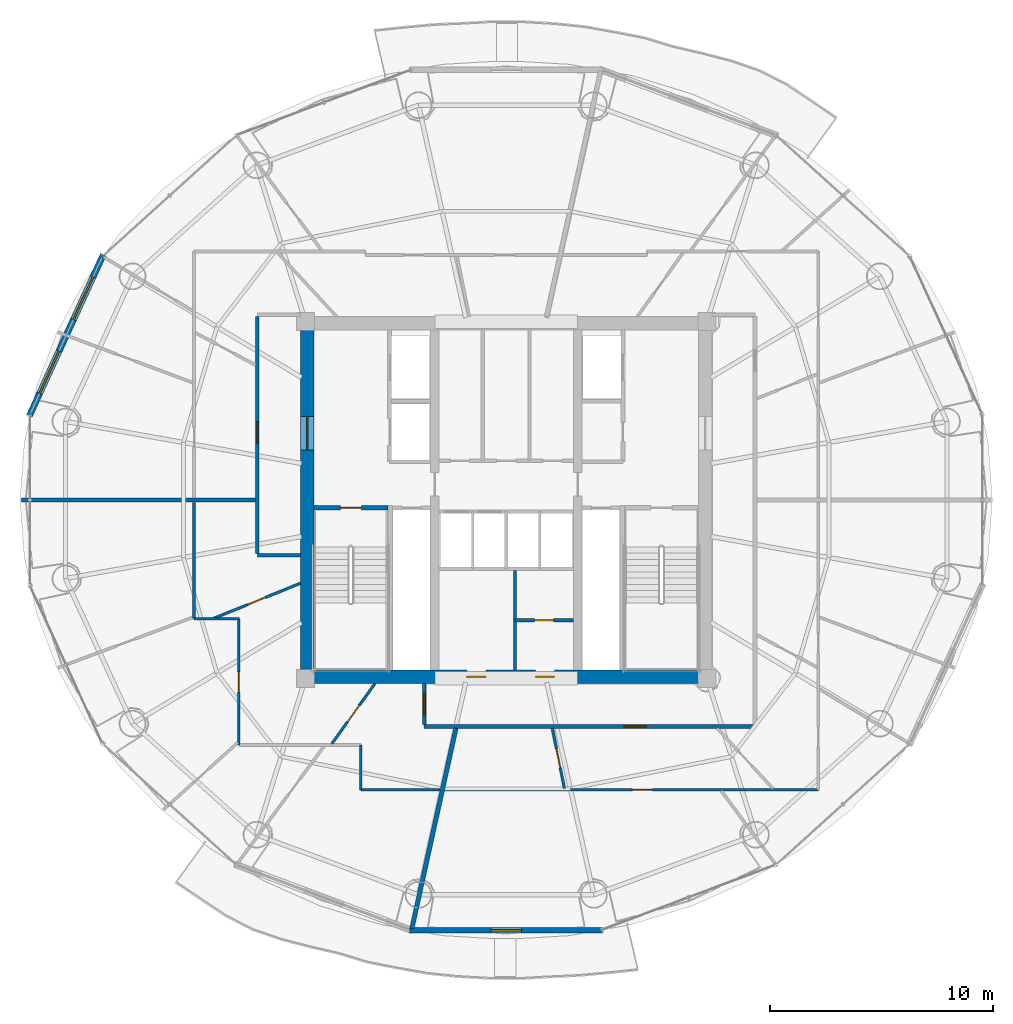
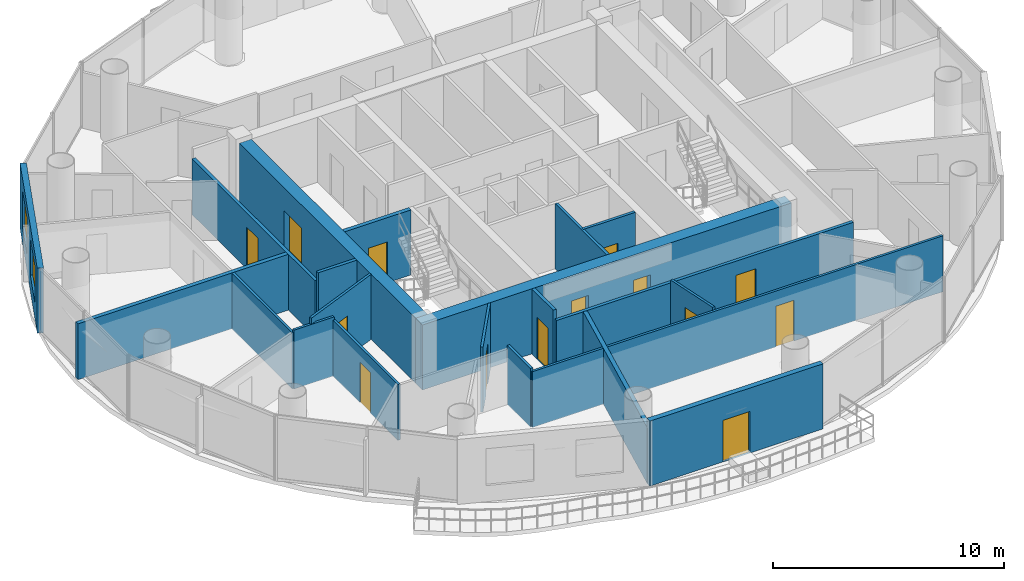
# One storey, part 20 of 26: 22 walls, 14 doors, 2 windows, 16 openings.
"""IFC4 building model written with IfcOpenShell, lengths in metres."""

from ifc_helpers import new_model, si_unit, direction, frame, frame_2d, origin, place, context, subcontext, project, spatial, rectangle, extrude, source, transform, mapped, material, layer, layer_set, type_object, element, fill, save


model = new_model("IFC4")

# Units and contexts
model_context = context("Model", 3, precision=1e-05, world=origin(), true_north=direction((-0.2419218956, 0.970295726276)))
body_context = subcontext(model_context, "Body", "Model", "MODEL_VIEW")
ifc_project = project(units=[si_unit("LENGTHUNIT", "METRE"), si_unit("AREAUNIT", "SQUARE_METRE"), si_unit("VOLUMEUNIT", "CUBIC_METRE"), si_unit("PLANEANGLEUNIT", "RADIAN"), si_unit("MASSUNIT", "GRAM", prefix="KILO")], contexts=[model_context])

# Site, building, storey
site_placement = place(None, origin())
site = spatial("IfcSite", under=ifc_project, at=site_placement, CompositionType="ELEMENT")
building_placement = place(site_placement, origin())
building = spatial("IfcBuilding", under=site, at=building_placement, Name="Cobrevalo Terracotta Tower", CompositionType="ELEMENT")
storey_placement = place(building_placement, frame((0.0, 0.0, 213.39990234375)))
storey = spatial("IfcBuildingStorey", under=building, at=storey_placement, Name="L56", CompositionType="ELEMENT", Elevation=213.39990234375)

# Wall, openings, doors
ifc_material_1 = material(Name="Concrete C55", Category="concrete")
ifc_layer_1 = layer(ifc_material_1, 0.60009765625)
ifc_layer_set_1 = layer_set([ifc_layer_1], Name="Concrete C55")
wall_type_1 = type_object("IfcWallType", Name="Core shear wall 600 mm Concrete C55", PredefinedType="SHEAR", material=ifc_layer_set_1)
wall_1_placement = place(storey_placement, frame((28.77490234375, 18.875, 0.0), z_axis=(0.0, 0.0, 1.0), x_axis=(1.0, 0.0, 0.0)))
wall_1 = element("IfcWall", 1, at=wall_1_placement, inside=storey, type_object=wall_type_1, Name="L56 south core shear wall", PredefinedType="SHEAR", context=body_context, shape_type="SweptSolid", body=[
    extrude(rectangle(XDim=18.4501953125, YDim=0.60009765625, at=frame_2d((9.22509765625, 0.0))), origin(), (0.0, 0.0, 1.0), 3.43505859375),
])
opening_1_placement = place(wall_1_placement, frame((7.4599609375, 0.0, 0.0)))
opening_1 = element("IfcOpeningElement", 2, at=opening_1_placement, cuts=wall_1, Name="Opening ID-22", PredefinedType="OPENING", context=body_context, shape_type="SweptSolid", body=[
    extrude(rectangle(XDim=0.85009765625, YDim=2.10009765625, at=frame_2d((0.425048828125, 1.050048828125))), frame((0.0, 0.31005859375, 0.0), z_axis=(0.0, -1.0, 0.0), x_axis=(1.0, 0.0, 0.0)), (0.0, 0.0, 1.0), 0.6201171875),
])
opening_2_placement = place(wall_1_placement, frame((10.5400390625, 0.0, 0.0)))
opening_2 = element("IfcOpeningElement", 3, at=opening_2_placement, cuts=wall_1, Name="Opening ID-22", PredefinedType="OPENING", context=body_context, shape_type="SweptSolid", body=[
    extrude(rectangle(XDim=0.85009765625, YDim=2.10009765625, at=frame_2d((0.425048828125, 1.050048828125))), frame((0.0, 0.31005859375, 0.0), z_axis=(0.0, -1.0, 0.0), x_axis=(1.0, 0.0, 0.0)), (0.0, 0.0, 1.0), 0.6201171875),
])
ifc_material_2 = material(Name="Powder-coated steel", Category="steel")
door_type_1 = type_object("IfcDoorType", Name="Riser shaft & meter closet fire access door 850x2100 EI 60", OperationType="NOTDEFINED", PredefinedType="DOOR", material=ifc_material_2)
shared_shape_1 = source(origin(), body_context, "Body", "SweptSolid", [
    extrude(rectangle(XDim=0.85009765625, YDim=2.10009765625, at=frame_2d((0.425048828125, 1.050048828125))), frame((0.0, 0.02490234375, 0.0), z_axis=(0.0, -1.0, 0.0), x_axis=(1.0, 0.0, 0.0)), (0.0, 0.0, 1.0), 0.050048828125),
])
door_1_placement = place(opening_1_placement, origin())
door_1 = element("IfcDoor", 4, at=door_1_placement, inside=storey, type_object=door_type_1, Name="L56 core south plant door Floor AHU Mechanical Plant", OperationType="SINGLE_SWING_RIGHT", OverallHeight=2.10009765625, OverallWidth=0.85009765625, PredefinedType="DOOR", context=body_context, shape_type="MappedRepresentation", body=[
    mapped(shared_shape_1, transform((0.0, 0.0, 0.0), scale=1.0)),
])
fill(opening_1, door_1)
door_2_placement = place(opening_2_placement, origin())
door_2 = element("IfcDoor", 5, at=door_2_placement, inside=storey, type_object=door_type_1, Name="L56 core south plant door Sprinkler Valve Plant", OperationType="SINGLE_SWING_RIGHT", OverallHeight=2.10009765625, OverallWidth=0.85009765625, PredefinedType="DOOR", context=body_context, shape_type="MappedRepresentation", body=[
    mapped(shared_shape_1, transform((0.0, 0.0, 0.0), scale=1.0)),
])
fill(opening_2, door_2)

# Wall, opening, door
wall_2_placement = place(storey_placement, frame((29.074951171875, 19.175048828125, 0.0), z_axis=(0.0, 0.0, 1.0), x_axis=(0.0, 1.0, 0.0)))
wall_2 = element("IfcWall", 6, at=wall_2_placement, inside=storey, type_object=wall_type_1, Name="L56 west core shear wall", PredefinedType="SHEAR", context=body_context, shape_type="SweptSolid", body=[
    extrude(rectangle(XDim=15.25, YDim=0.60009765625, at=frame_2d((7.625, 0.0))), origin(), (0.0, 0.0, 1.0), 3.43505859375),
])
opening_3_placement = place(wall_2_placement, frame((9.875, 0.0, 0.0)))
opening_3 = element("IfcOpeningElement", 7, at=opening_3_placement, cuts=wall_2, Name="Opening ID-14", PredefinedType="OPENING", context=body_context, shape_type="SweptSolid", body=[
    extrude(rectangle(XDim=1.5, YDim=2.199951171875, at=frame_2d((0.75, 1.10009765625))), frame((0.0, 0.31005859375, 0.0), z_axis=(0.0, -1.0, 0.0), x_axis=(1.0, 0.0, 0.0)), (0.0, 0.0, 1.0), 0.6201171875),
])
ifc_material_3 = material(Name="Galvanized fire-rated steel", Category="steel")
door_type_2 = type_object("IfcDoorType", Name="Core cross-lobby double fire door 1500x2200 EI 90", OperationType="NOTDEFINED", PredefinedType="DOOR", material=ifc_material_3)
shared_shape_2 = source(origin(), body_context, "Body", "SweptSolid", [
    extrude(rectangle(XDim=1.5, YDim=2.199951171875, at=frame_2d((0.75, 1.10009765625))), frame((0.0, 0.02490234375, 0.0), z_axis=(0.0, -1.0, 0.0), x_axis=(1.0, 0.0, 0.0)), (0.0, 0.0, 1.0), 0.050048828125),
])
door_3_placement = place(opening_3_placement, origin())
door_3 = element("IfcDoor", 8, at=door_3_placement, inside=storey, type_object=door_type_2, Name="L56 west firefighting lobby entrance door", OperationType="DOUBLE_DOOR_SINGLE_SWING", OverallHeight=2.199951171875, OverallWidth=1.5, PredefinedType="DOOR", context=body_context, shape_type="MappedRepresentation", body=[
    mapped(shared_shape_2, transform((0.0, 0.0, 0.0), scale=1.0)),
])
fill(opening_3, door_3)

ifc_material_4 = material(Name="Gypsum board on steel stud", Category="steel")
ifc_layer_2 = layer(ifc_material_4, 0.159912109375)
ifc_layer_set_2 = layer_set([ifc_layer_2], Name="Gypsum board on steel stud")
wall_type_2 = type_object("IfcWallType", Name="Fire-rated corridor acoustic partition wall 160 mm", PredefinedType="PARTITIONING", material=ifc_layer_set_2)
wall_3_placement = place(storey_placement, frame((26.844970703125, 24.39990234375, 0.0), z_axis=(0.0, 0.0, 1.0), x_axis=(0.0, 1.0, 0.0)))
wall_3 = element("IfcWall", 9, at=wall_3_placement, inside=storey, type_object=wall_type_2, Name="L56 interior partition IW-L56-COR-W", PredefinedType="PARTITIONING", context=body_context, shape_type="SweptSolid", body=[
    extrude(rectangle(XDim=10.625, YDim=0.159912109375, at=frame_2d((5.3125, 0.0))), origin(), (0.0, 0.0, 1.0), 2.951171875),
])
opening_4_placement = place(wall_3_placement, frame((4.93603515625, 0.0, 0.0)))
opening_4 = element("IfcOpeningElement", 10, at=opening_4_placement, cuts=wall_3, Name="Opening ID-05", PredefinedType="OPENING", context=body_context, shape_type="SweptSolid", body=[
    extrude(rectangle(XDim=0.97998046875, YDim=2.199951171875, at=frame_2d((0.489990234375, 1.10009765625))), frame((0.0, 0.08984375, 0.0), z_axis=(0.0, -1.0, 0.0), x_axis=(1.0, 0.0, 0.0)), (0.0, 0.0, 1.0), 0.179931640625),
])
ifc_material_5 = material(Name="Solid hardwood timber", Category="wood")
door_type_3 = type_object("IfcDoorType", Name="Residence entrance fire-rated acoustic timber door 980x2200 EI 60", OperationType="NOTDEFINED", PredefinedType="DOOR", material=ifc_material_5)
shared_shape_3 = source(origin(), body_context, "Body", "SweptSolid", [
    extrude(rectangle(XDim=0.97998046875, YDim=2.199951171875, at=frame_2d((0.489990234375, 1.10009765625))), frame((0.0, 0.02490234375, 0.0), z_axis=(0.0, -1.0, 0.0), x_axis=(1.0, 0.0, 0.0)), (0.0, 0.0, 1.0), 0.050048828125),
])
door_4_placement = place(opening_4_placement, origin())
door_4 = element("IfcDoor", 11, at=door_4_placement, inside=storey, type_object=door_type_3, Name="Flat L56B fire-rated apartment entrance door", OperationType="SINGLE_SWING_LEFT", OverallHeight=2.199951171875, OverallWidth=0.97998046875, PredefinedType="DOOR", context=body_context, shape_type="MappedRepresentation", body=[
    mapped(shared_shape_3, transform((0.0, 0.0, 0.0), scale=1.0)),
])
fill(opening_4, door_4)

# Wall
wall_4_placement = place(storey_placement, frame((26.844970703125, 24.320068359375, 0.0), z_axis=(0.0, 0.0, 1.0), x_axis=(1.0, 0.0, 0.0)))
element("IfcWall", 12, at=wall_4_placement, inside=storey, type_object=wall_type_2, Name="L56 interior partition IW-L56-COR-WS-CAP", PredefinedType="PARTITIONING", context=body_context, shape_type="SweptSolid", body=[
    extrude(rectangle(XDim=1.929931640625, YDim=0.159912109375, at=frame_2d((0.96484375, 0.0))), origin(), (0.0, 0.0, 1.0), 3.43505859375),
])

# Wall, opening, door
wall_5_placement = place(storey_placement, frame((34.320068359375, 16.64501953125, 0.0), z_axis=(0.0, 0.0, 1.0), x_axis=(1.0, 0.0, 0.0)))
wall_5 = element("IfcWall", 13, at=wall_5_placement, inside=storey, type_object=wall_type_2, Name="L56 interior partition IW-L56-COR-S", PredefinedType="PARTITIONING", context=body_context, shape_type="SweptSolid", body=[
    extrude(rectangle(XDim=14.8349609375, YDim=0.159912109375, at=frame_2d((7.41748046875, 0.0))), origin(), (0.0, 0.0, 1.0), 2.951171875),
])
opening_5_placement = place(wall_5_placement, frame((8.972900390625, 0.0, 0.0)))
opening_5 = element("IfcOpeningElement", 14, at=opening_5_placement, cuts=wall_5, Name="Opening ID-05", PredefinedType="OPENING", context=body_context, shape_type="SweptSolid", body=[
    extrude(rectangle(XDim=0.97998046875, YDim=2.199951171875, at=frame_2d((0.489990234375, 1.10009765625))), frame((0.0, 0.08984375, 0.0), z_axis=(0.0, -1.0, 0.0), x_axis=(1.0, 0.0, 0.0)), (0.0, 0.0, 1.0), 0.179931640625),
])
door_5_placement = place(opening_5_placement, frame((0.97998046875, 0.0, 0.0), z_axis=(0.0, 0.0, 1.0), x_axis=(-1.0, 0.0, 0.0)))
door_5 = element("IfcDoor", 15, at=door_5_placement, inside=storey, type_object=door_type_3, Name="Flat L56D fire-rated apartment entrance door", OperationType="SINGLE_SWING_RIGHT", OverallHeight=2.199951171875, OverallWidth=0.97998046875, PredefinedType="DOOR", context=body_context, shape_type="MappedRepresentation", body=[
    mapped(shared_shape_3, transform((0.0, 0.0, 0.0), scale=1.0)),
])
fill(opening_5, door_5)

wall_6_placement = place(storey_placement, frame((34.320068359375, 16.72509765625, 0.0), z_axis=(0.0, 0.0, 1.0), x_axis=(0.0, 1.0, 0.0)))
wall_6 = element("IfcWall", 16, at=wall_6_placement, inside=storey, type_object=wall_type_2, Name="L56 interior partition IW-L56-COR-SW-CAP", PredefinedType="PARTITIONING", context=body_context, shape_type="SweptSolid", body=[
    extrude(rectangle(XDim=1.849853515625, YDim=0.159912109375, at=frame_2d((0.9248046875, 0.0))), origin(), (0.0, 0.0, 1.0), 3.43505859375),
])
opening_6_placement = place(wall_6_placement, frame((0.43505859375, 0.0, 0.0)))
opening_6 = element("IfcOpeningElement", 17, at=opening_6_placement, cuts=wall_6, Name="Opening ID-05", PredefinedType="OPENING", context=body_context, shape_type="SweptSolid", body=[
    extrude(rectangle(XDim=0.97998046875, YDim=2.199951171875, at=frame_2d((0.489990234375, 1.10009765625))), frame((0.0, 0.08984375, 0.0), z_axis=(0.0, -1.0, 0.0), x_axis=(1.0, 0.0, 0.0)), (0.0, 0.0, 1.0), 0.179931640625),
])
door_6_placement = place(opening_6_placement, origin())
door_6 = element("IfcDoor", 18, at=door_6_placement, inside=storey, type_object=door_type_3, Name="Flat L56C fire-rated apartment entrance door", OperationType="SINGLE_SWING_LEFT", OverallHeight=2.199951171875, OverallWidth=0.97998046875, PredefinedType="DOOR", context=body_context, shape_type="MappedRepresentation", body=[
    mapped(shared_shape_3, transform((0.0, 0.0, 0.0), scale=1.0)),
])
fill(opening_6, door_6)

# Walls
ifc_material_6 = material(Name="Autoclaved aerated concrete block", Category="concrete")
ifc_layer_3 = layer(ifc_material_6, 0.199951171875)
ifc_layer_set_3 = layer_set([ifc_layer_3], Name="Autoclaved aerated concrete block")
wall_type_3 = type_object("IfcWallType", Name="Fire-rated stair, shaft & demising masonry wall 200 mm", PredefinedType="PARTITIONING", material=ifc_layer_set_3)
wall_7_placement = place(storey_placement, frame((26.764892578125, 26.800048828125, 0.0), z_axis=(0.0, 0.0, 1.0), x_axis=(-1.0, 0.0, 0.0)))
element("IfcWall", 19, at=wall_7_placement, inside=storey, type_object=wall_type_3, Name="L56 interior partition IW-L56-DEM-3", PredefinedType="PARTITIONING", context=body_context, shape_type="SweptSolid", body=[
    extrude(rectangle(XDim=10.5048828125, YDim=0.199951171875, at=frame_2d((5.25244140625, 0.0))), origin(), (0.0, 0.0, 1.0), 2.951171875),
])
wall_8_placement = place(storey_placement, frame((35.7470703125, 16.56494140625, 0.0), z_axis=(0.0, 0.0, 1.0), x_axis=(-0.214957946814, -0.976623305631, 0.0)))
element("IfcWall", 20, at=wall_8_placement, inside=storey, type_object=wall_type_3, Name="L56 interior partition IW-L56-DEM-4", PredefinedType="PARTITIONING", context=body_context, shape_type="SweptSolid", body=[
    extrude(rectangle(XDim=9.201904296875, YDim=0.199951171875, at=frame_2d((4.60107421875, 0.0))), origin(), (0.0, 0.0, 1.0), 2.951171875),
])

# Wall, openings, windows
ifc_layer_4 = layer(ifc_material_6, 0.280029296875)
ifc_layer_set_4 = layer_set([ifc_layer_4], Name="Autoclaved aerated concrete block")
wall_type_4 = type_object("IfcWallType", Name="Insulated tower spandrel & pier wall 280 mm with terracotta rainscreen", PredefinedType="SOLIDWALL", material=ifc_layer_set_4)
wall_9_placement = place(storey_placement, frame((19.93212890625, 37.80078125, 0.0), z_axis=(0.0, 0.0, 1.0), x_axis=(-0.416717018135, -0.909036262641, 0.0)))
wall_9 = element("IfcWall", 21, at=wall_9_placement, inside=storey, type_object=wall_type_4, Name="L56 terracotta rainscreen pier wall S07", PredefinedType="SOLIDWALL", context=body_context, shape_type="SweptSolid", body=[
    extrude(rectangle(XDim=7.960205078125, YDim=0.280029296875, at=frame_2d((3.97998046875, 0.0))), origin(), (0.0, 0.0, 1.0), 3.43505859375),
])
opening_7_placement = place(wall_9_placement, frame((1.099365234375, 0.0, 0.85009765625)))
opening_7 = element("IfcOpeningElement", 22, at=opening_7_placement, cuts=wall_9, Name="Opening WN-10", PredefinedType="OPENING", context=body_context, shape_type="SweptSolid", body=[
    extrude(rectangle(XDim=2.10009765625, YDim=1.949951171875, at=frame_2d((1.050048828125, 0.97509765625))), frame((0.0, 0.14990234375, 0.0), z_axis=(0.0, -1.0, 0.0), x_axis=(1.0, 0.0, 0.0)), (0.0, 0.0, 1.0), 0.300048828125),
])
opening_8_placement = place(wall_9_placement, frame((4.760986328125, 0.0, 0.85009765625)))
opening_8 = element("IfcOpeningElement", 23, at=opening_8_placement, cuts=wall_9, Name="Opening WN-10", PredefinedType="OPENING", context=body_context, shape_type="SweptSolid", body=[
    extrude(rectangle(XDim=2.10009765625, YDim=1.949951171875, at=frame_2d((1.050048828125, 0.97509765625))), frame((0.0, 0.14990234375, 0.0), z_axis=(0.0, -1.0, 0.0), x_axis=(1.0, 0.0, 0.0)), (0.0, 0.0, 1.0), 0.300048828125),
])
ifc_material_7 = material(Name="Solar-control low-E double glazing", Category="glass")
window_type = type_object("IfcWindowType", Name="Wide panoramic low-E aluminium window 2100x1950", PartitioningType="SINGLE_PANEL", PredefinedType="WINDOW", material=ifc_material_7)
shared_shape_4 = source(origin(), body_context, "Body", "SweptSolid", [
    extrude(rectangle(XDim=2.10009765625, YDim=1.949951171875, at=frame_2d((1.050048828125, 0.97509765625))), frame((0.0, 0.030029296875, 0.0), z_axis=(0.0, -1.0, 0.0), x_axis=(1.0, 0.0, 0.0)), (0.0, 0.0, 1.0), 0.06005859375),
])
window_1_placement = place(opening_7_placement, origin())
window_1 = element("IfcWindow", 24, at=window_1_placement, inside=storey, type_object=window_type, Name="L56 suite window S07A", OverallHeight=1.949951171875, OverallWidth=2.10009765625, PartitioningType="SINGLE_PANEL", PredefinedType="WINDOW", context=body_context, shape_type="MappedRepresentation", body=[
    mapped(shared_shape_4, transform((0.0, 0.0, 0.0), scale=1.0)),
])
fill(opening_7, window_1)
window_2_placement = place(opening_8_placement, origin())
window_2 = element("IfcWindow", 25, at=window_2_placement, inside=storey, type_object=window_type, Name="L56 suite window S07B", OverallHeight=1.949951171875, OverallWidth=2.10009765625, PartitioningType="SINGLE_PANEL", PredefinedType="WINDOW", context=body_context, shape_type="MappedRepresentation", body=[
    mapped(shared_shape_4, transform((0.0, 0.0, 0.0), scale=1.0)),
])
fill(opening_8, window_2)

# Wall
ifc_layer_5 = layer(ifc_material_6, 0.139892578125)
ifc_layer_set_5 = layer_set([ifc_layer_5], Name="Autoclaved aerated concrete block")
wall_type_5 = type_object("IfcWallType", Name="Moisture-resistant wet-room & core service partition 140 mm", PredefinedType="PARTITIONING", material=ifc_layer_set_5)
wall_10_placement = place(storey_placement, frame((38.39990234375, 19.175048828125, 0.0), z_axis=(0.0, 0.0, 1.0), x_axis=(0.0, 1.0, 0.0)))
element("IfcWall", 26, at=wall_10_placement, inside=storey, type_object=wall_type_5, Name="L56 interior partition IW-L56-KVS-L1", PredefinedType="PARTITIONING", context=body_context, shape_type="SweptSolid", body=[
    extrude(rectangle(XDim=4.46484375, YDim=0.139892578125, at=frame_2d((2.232421875, 0.0))), origin(), (0.0, 0.0, 1.0), 3.43505859375),
])

# Wall, opening, door
wall_11_placement = place(storey_placement, frame((38.39990234375, 21.407470703125, 0.0), z_axis=(0.0, 0.0, 1.0), x_axis=(1.0, 0.0, 0.0)))
wall_11 = element("IfcWall", 27, at=wall_11_placement, inside=storey, type_object=wall_type_5, Name="L56 interior partition IW-L56-KVS-L2", PredefinedType="PARTITIONING", context=body_context, shape_type="SweptSolid", body=[
    extrude(rectangle(XDim=2.610107421875, YDim=0.139892578125, at=frame_2d((1.30517578125, 0.0))), origin(), (0.0, 0.0, 1.0), 3.43505859375),
])
opening_9_placement = place(wall_11_placement, frame((0.8798828125, 0.0, 0.0)))
opening_9 = element("IfcOpeningElement", 28, at=opening_9_placement, cuts=wall_11, Name="Opening ID-22", PredefinedType="OPENING", context=body_context, shape_type="SweptSolid", body=[
    extrude(rectangle(XDim=0.85009765625, YDim=2.10009765625, at=frame_2d((0.425048828125, 1.050048828125))), frame((0.0, 0.080078125, 0.0), z_axis=(0.0, -1.0, 0.0), x_axis=(1.0, 0.0, 0.0)), (0.0, 0.0, 1.0), 0.159912109375),
])
door_7_placement = place(opening_9_placement, origin())
door_7 = element("IfcDoor", 29, at=door_7_placement, inside=storey, type_object=door_type_1, Name="L56 core KVS-L2 inner door", OperationType="SINGLE_SWING_LEFT", OverallHeight=2.10009765625, OverallWidth=0.85009765625, PredefinedType="DOOR", context=body_context, shape_type="MappedRepresentation", body=[
    mapped(shared_shape_1, transform((0.0, 0.0, 0.0), scale=1.0)),
])
fill(opening_9, door_7)

ifc_layer_6 = layer(ifc_material_6, 0.260009765625)
ifc_layer_set_6 = layer_set([ifc_layer_6], Name="Autoclaved aerated concrete block")
wall_type_6 = type_object("IfcWallType", Name="Recessed balcony loggia insulated exterior wall 260 mm", PredefinedType="SOLIDWALL", material=ifc_layer_set_6)
wall_12_placement = place(storey_placement, frame((33.6728515625, 7.508056640625, 0.0), z_axis=(0.0, 0.0, 1.0), x_axis=(1.0, 0.0, 0.0)))
wall_12 = element("IfcWall", 30, at=wall_12_placement, inside=storey, type_object=wall_type_6, Name="L56 balcony loggia wall S12", PredefinedType="SOLIDWALL", context=body_context, shape_type="SweptSolid", body=[
    extrude(rectangle(XDim=8.654296875, YDim=0.260009765625, at=frame_2d((4.3271484375, 0.0))), origin(), (0.0, 0.0, 1.0), 3.43505859375),
])
opening_10_placement = place(wall_12_placement, frame((3.652099609375, 0.0, 0.0)))
opening_10 = element("IfcOpeningElement", 31, at=opening_10_placement, cuts=wall_12, Name="Opening ED-05", PredefinedType="OPENING", context=body_context, shape_type="SweptSolid", body=[
    extrude(rectangle(XDim=1.35009765625, YDim=2.199951171875, at=frame_2d((0.675048828125, 1.10009765625))), frame((0.0, 0.14013671875, 0.0), z_axis=(0.0, -1.0, 0.0), x_axis=(1.0, 0.0, 0.0)), (0.0, 0.0, 1.0), 0.280029296875),
])
ifc_material_8 = material(Name="Anodized aluminium and laminated glass", Category="aluminium")
door_type_4 = type_object("IfcDoorType", Name="Suite balcony acoustic glazed terrace door 1350x2200", OperationType="NOTDEFINED", PredefinedType="DOOR", material=ifc_material_8)
shared_shape_5 = source(origin(), body_context, "Body", "SweptSolid", [
    extrude(rectangle(XDim=1.35009765625, YDim=2.199951171875, at=frame_2d((0.675048828125, 1.10009765625))), frame((0.0, 0.02490234375, 0.0), z_axis=(0.0, -1.0, 0.0), x_axis=(1.0, 0.0, 0.0)), (0.0, 0.0, 1.0), 0.050048828125),
])
door_8_placement = place(opening_10_placement, frame((1.35009765625, 0.0, 0.0), z_axis=(0.0, 0.0, 1.0), x_axis=(-1.0, 0.0, 0.0)))
door_8 = element("IfcDoor", 32, at=door_8_placement, inside=storey, type_object=door_type_4, Name="L56 glazed balcony terrace door 2", OperationType="SINGLE_SWING_RIGHT", OverallHeight=2.199951171875, OverallWidth=1.35009765625, PredefinedType="DOOR", context=body_context, shape_type="MappedRepresentation", body=[
    mapped(shared_shape_5, transform((0.0, 0.0, 0.0), scale=1.0)),
])
fill(opening_10, door_8)

# Walls
ifc_layer_7 = layer(ifc_material_4, 0.1201171875)
ifc_layer_set_7 = layer_set([ifc_layer_7], Name="Gypsum board on steel stud")
wall_type_7 = type_object("IfcWallType", Name="Residential internal acoustic stud partition 120 mm", PredefinedType="PARTITIONING", material=ifc_layer_set_7)
wall_13_placement = place(storey_placement, frame((35.03759765625, 13.804931640625, 0.0), z_axis=(0.0, 0.0, 1.0), x_axis=(-1.0, 0.0, 0.0)))
element("IfcWall", 33, at=wall_13_placement, inside=storey, type_object=wall_type_7, Name="L56 interior partition IW-L56-U3-RING0_0", PredefinedType="PARTITIONING", context=body_context, shape_type="SweptSolid", body=[
    extrude(rectangle(XDim=3.5576171875, YDim=0.1201171875, at=frame_2d((1.77880859375, 0.0))), origin(), (0.0, 0.0, 1.0), 2.951171875),
])
wall_14_placement = place(storey_placement, frame((31.47998046875, 13.804931640625, 0.0), z_axis=(0.0, 0.0, 1.0), x_axis=(0.0, 1.0, 0.0)))
element("IfcWall", 34, at=wall_14_placement, inside=storey, type_object=wall_type_7, Name="L56 interior partition IW-L56-U3-RING1_0", PredefinedType="PARTITIONING", context=body_context, shape_type="SweptSolid", body=[
    extrude(rectangle(XDim=2.010009765625, YDim=0.1201171875, at=frame_2d((1.0048828125, 0.0))), origin(), (0.0, 0.0, 1.0), 3.110107421875),
])

# Wall, opening, door
wall_15_placement = place(storey_placement, frame((26.014892578125, 15.81494140625, 0.0), z_axis=(0.0, 0.0, 1.0), x_axis=(0.0, 1.0, 0.0)))
wall_15 = element("IfcWall", 35, at=wall_15_placement, inside=storey, type_object=wall_type_7, Name="L56 interior partition IW-L56-U3-RING3_0", PredefinedType="PARTITIONING", context=body_context, shape_type="SweptSolid", body=[
    extrude(rectangle(XDim=5.6650390625, YDim=0.1201171875, at=frame_2d((2.83251953125, 0.0))), origin(), (0.0, 0.0, 1.0), 2.951171875),
])
opening_11_placement = place(wall_15_placement, frame((2.382568359375, 0.0, 0.0)))
opening_11 = element("IfcOpeningElement", 36, at=opening_11_placement, cuts=wall_15, Name="Opening ID-12", PredefinedType="OPENING", context=body_context, shape_type="SweptSolid", body=[
    extrude(rectangle(XDim=0.89990234375, YDim=2.14990234375, at=frame_2d((0.449951171875, 1.074951171875))), frame((0.0, 0.070068359375, 0.0), z_axis=(0.0, -1.0, 0.0), x_axis=(1.0, 0.0, 0.0)), (0.0, 0.0, 1.0), 0.14013671875),
])
ifc_material_9 = material(Name="Engineered timber", Category="wood")
door_type_5 = type_object("IfcDoorType", Name="Internal residence & suite timber door 900x2150", OperationType="NOTDEFINED", PredefinedType="DOOR", material=ifc_material_9)
shared_shape_6 = source(origin(), body_context, "Body", "SweptSolid", [
    extrude(rectangle(XDim=0.89990234375, YDim=2.14990234375, at=frame_2d((0.449951171875, 1.074951171875))), frame((0.0, 0.02490234375, 0.0), z_axis=(0.0, -1.0, 0.0), x_axis=(1.0, 0.0, 0.0)), (0.0, 0.0, 1.0), 0.050048828125),
])
door_9_placement = place(opening_11_placement, origin())
door_9 = element("IfcDoor", 37, at=door_9_placement, inside=storey, type_object=door_type_5, Name="Flat L56C Master Bedroom internal door", OperationType="SINGLE_SWING_LEFT", OverallHeight=2.14990234375, OverallWidth=0.89990234375, PredefinedType="DOOR", context=body_context, shape_type="MappedRepresentation", body=[
    mapped(shared_shape_6, transform((0.0, 0.0, 0.0), scale=1.0)),
])
fill(opening_11, door_9)

# Walls
wall_16_placement = place(storey_placement, frame((26.014892578125, 21.47998046875, 0.0), z_axis=(0.0, 0.0, 1.0), x_axis=(-1.0, 0.0, 0.0)))
element("IfcWall", 38, at=wall_16_placement, inside=storey, type_object=wall_type_7, Name="L56 interior partition IW-L56-U3-RING4_0", PredefinedType="PARTITIONING", context=body_context, shape_type="SweptSolid", body=[
    extrude(rectangle(XDim=2.010009765625, YDim=0.1201171875, at=frame_2d((1.0048828125, 0.0))), origin(), (0.0, 0.0, 1.0), 3.110107421875),
])
wall_17_placement = place(storey_placement, frame((24.0048828125, 21.47998046875, 0.0), z_axis=(0.0, 0.0, 1.0), x_axis=(0.0, 1.0, 0.0)))
element("IfcWall", 39, at=wall_17_placement, inside=storey, type_object=wall_type_7, Name="L56 interior partition IW-L56-U3-RING5_0", PredefinedType="PARTITIONING", context=body_context, shape_type="SweptSolid", body=[
    extrude(rectangle(XDim=5.218017578125, YDim=0.1201171875, at=frame_2d((2.60888671875, 0.0))), origin(), (0.0, 0.0, 1.0), 2.951171875),
])

# Wall, opening, door
wall_18_placement = place(storey_placement, frame((28.77490234375, 23.066650390625, 0.0), z_axis=(0.0, 0.0, 1.0), x_axis=(-0.926976443277, -0.375119545757, 0.0)))
wall_18 = element("IfcWall", 40, at=wall_18_placement, inside=storey, type_object=wall_type_7, Name="L56 interior partition IW-L56-U3-IRAD1", PredefinedType="PARTITIONING", context=body_context, shape_type="SweptSolid", body=[
    extrude(rectangle(XDim=4.229736328125, YDim=0.1201171875, at=frame_2d((2.11474609375, 0.0))), origin(), (0.0, 0.0, 1.0), 3.43505859375),
])
opening_12_placement = place(wall_18_placement, frame((1.684814453125, 0.0, 0.0)))
opening_12 = element("IfcOpeningElement", 41, at=opening_12_placement, cuts=wall_18, Name="Opening ID-19", PredefinedType="OPENING", context=body_context, shape_type="SweptSolid", body=[
    extrude(rectangle(XDim=0.860107421875, YDim=2.14990234375, at=frame_2d((0.43017578125, 1.074951171875))), frame((0.0, 0.070068359375, 0.0), z_axis=(0.0, -1.0, 0.0), x_axis=(1.0, 0.0, 0.0)), (0.0, 0.0, 1.0), 0.14013671875),
])
ifc_material_10 = material(Name="Moisture-sealed timber", Category="wood")
door_type_6 = type_object("IfcDoorType", Name="Suite bathroom internal timber door 860x2150", OperationType="NOTDEFINED", PredefinedType="DOOR", material=ifc_material_10)
shared_shape_7 = source(origin(), body_context, "Body", "SweptSolid", [
    extrude(rectangle(XDim=0.860107421875, YDim=2.14990234375, at=frame_2d((0.43017578125, 1.074951171875))), frame((0.0, 0.02490234375, 0.0), z_axis=(0.0, -1.0, 0.0), x_axis=(1.0, 0.0, 0.0)), (0.0, 0.0, 1.0), 0.050048828125),
])
door_10_placement = place(opening_12_placement, frame((0.860107421875, 0.0, 0.0), z_axis=(0.0, 0.0, 1.0), x_axis=(-1.0, 0.0, 0.0)))
door_10 = element("IfcDoor", 42, at=door_10_placement, inside=storey, type_object=door_type_6, Name="Flat L56C Primary Bathroom internal door", OperationType="SINGLE_SWING_RIGHT", OverallHeight=2.14990234375, OverallWidth=0.860107421875, PredefinedType="DOOR", context=body_context, shape_type="MappedRepresentation", body=[
    mapped(shared_shape_7, transform((0.0, 0.0, 0.0), scale=1.0)),
])
fill(opening_12, door_10)

wall_19_placement = place(storey_placement, frame((32.11669921875, 18.574951171875, 0.0), z_axis=(0.0, 0.0, 1.0), x_axis=(-0.581813438478, -0.813322274874, 0.0)))
wall_19 = element("IfcWall", 43, at=wall_19_placement, inside=storey, type_object=wall_type_7, Name="L56 interior partition IW-L56-U3-IRAD2", PredefinedType="PARTITIONING", context=body_context, shape_type="SweptSolid", body=[
    extrude(rectangle(XDim=3.331298828125, YDim=0.1201171875, at=frame_2d((1.66552734375, 0.0))), origin(), (0.0, 0.0, 1.0), 3.43505859375),
])
opening_13_placement = place(wall_19_placement, frame((1.2158203125, 0.0, 0.0)))
opening_13 = element("IfcOpeningElement", 44, at=opening_13_placement, cuts=wall_19, Name="Opening ID-12", PredefinedType="OPENING", context=body_context, shape_type="SweptSolid", body=[
    extrude(rectangle(XDim=0.89990234375, YDim=2.14990234375, at=frame_2d((0.449951171875, 1.074951171875))), frame((0.0, 0.070068359375, 0.0), z_axis=(0.0, -1.0, 0.0), x_axis=(1.0, 0.0, 0.0)), (0.0, 0.0, 1.0), 0.14013671875),
])
door_11_placement = place(opening_13_placement, frame((0.89990234375, 0.0, 0.0), z_axis=(0.0, 0.0, 1.0), x_axis=(-1.0, 0.0, 0.0)))
door_11 = element("IfcDoor", 45, at=door_11_placement, inside=storey, type_object=door_type_5, Name="Flat L56C Reception Hallway internal door", OperationType="SINGLE_SWING_RIGHT", OverallHeight=2.14990234375, OverallWidth=0.89990234375, PredefinedType="DOOR", context=body_context, shape_type="MappedRepresentation", body=[
    mapped(shared_shape_6, transform((0.0, 0.0, 0.0), scale=1.0)),
])
fill(opening_13, door_11)

wall_20_placement = place(storey_placement, frame((51.9951171875, 13.804931640625, 0.0), z_axis=(0.0, 0.0, 1.0), x_axis=(-1.0, 0.0, 0.0)))
wall_20 = element("IfcWall", 46, at=wall_20_placement, inside=storey, type_object=wall_type_7, Name="L56 interior partition IW-L56-U4-RING1_0", PredefinedType="PARTITIONING", context=body_context, shape_type="SweptSolid", body=[
    extrude(rectangle(XDim=16.75341796875, YDim=0.1201171875, at=frame_2d((8.376708984375, 0.0))), origin(), (0.0, 0.0, 1.0), 2.951171875),
])
opening_14_placement = place(wall_20_placement, frame((7.44189453125, 0.0, 0.0)))
opening_14 = element("IfcOpeningElement", 47, at=opening_14_placement, cuts=wall_20, Name="Opening ID-12", PredefinedType="OPENING", context=body_context, shape_type="SweptSolid", body=[
    extrude(rectangle(XDim=0.89990234375, YDim=2.14990234375, at=frame_2d((0.449951171875, 1.074951171875))), frame((0.0, 0.070068359375, 0.0), z_axis=(0.0, -1.0, 0.0), x_axis=(1.0, 0.0, 0.0)), (0.0, 0.0, 1.0), 0.14013671875),
])
door_12_placement = place(opening_14_placement, origin())
door_12 = element("IfcDoor", 48, at=door_12_placement, inside=storey, type_object=door_type_5, Name="Flat L56D Living and Dining Room internal door", OperationType="SINGLE_SWING_RIGHT", OverallHeight=2.14990234375, OverallWidth=0.89990234375, PredefinedType="DOOR", context=body_context, shape_type="MappedRepresentation", body=[
    mapped(shared_shape_6, transform((0.0, 0.0, 0.0), scale=1.0)),
])
fill(opening_14, door_12)

wall_21_placement = place(storey_placement, frame((40.06640625, 16.56494140625, 0.0), z_axis=(0.0, 0.0, 1.0), x_axis=(0.197974199315, -0.980207231358, 0.0)))
wall_21 = element("IfcWall", 49, at=wall_21_placement, inside=storey, type_object=wall_type_7, Name="L56 interior partition IW-L56-U4-IRAD1", PredefinedType="PARTITIONING", context=body_context, shape_type="SweptSolid", body=[
    extrude(rectangle(XDim=2.753662109375, YDim=0.1201171875, at=frame_2d((1.376953125, 0.0))), origin(), (0.0, 0.0, 1.0), 3.110107421875),
])
opening_15_placement = place(wall_21_placement, frame((0.94677734375, 0.0, 0.0)))
opening_15 = element("IfcOpeningElement", 50, at=opening_15_placement, cuts=wall_21, Name="Opening ID-19", PredefinedType="OPENING", context=body_context, shape_type="SweptSolid", body=[
    extrude(rectangle(XDim=0.860107421875, YDim=2.14990234375, at=frame_2d((0.43017578125, 1.074951171875))), frame((0.0, 0.070068359375, 0.0), z_axis=(0.0, -1.0, 0.0), x_axis=(1.0, 0.0, 0.0)), (0.0, 0.0, 1.0), 0.14013671875),
])
door_13_placement = place(opening_15_placement, frame((0.860107421875, 0.0, 0.0), z_axis=(0.0, 0.0, 1.0), x_axis=(-1.0, 0.0, 0.0)))
door_13 = element("IfcDoor", 51, at=door_13_placement, inside=storey, type_object=door_type_6, Name="Flat L56D Primary Bathroom internal door", OperationType="SINGLE_SWING_LEFT", OverallHeight=2.14990234375, OverallWidth=0.860107421875, PredefinedType="DOOR", context=body_context, shape_type="MappedRepresentation", body=[
    mapped(shared_shape_7, transform((0.0, 0.0, 0.0), scale=1.0)),
])
fill(opening_15, door_13)

ifc_material_11 = material(Name="Concrete C50", Category="concrete")
ifc_layer_8 = layer(ifc_material_11, 0.199951171875)
ifc_layer_set_8 = layer_set([ifc_layer_8], Name="Concrete C50")
wall_type_8 = type_object("IfcWallType", Name="Structural core & podium stair-shaft RC wall 200 mm Concrete C50", PredefinedType="SOLIDWALL", material=ifc_layer_set_8)
wall_22_placement = place(storey_placement, frame((29.375, 26.449951171875, 0.0), z_axis=(0.0, 0.0, 1.0), x_axis=(1.0, 0.0, 0.0)))
wall_22 = element("IfcWall", 52, at=wall_22_placement, inside=storey, type_object=wall_type_8, Name="L56 ST-1 north structural shaft wall", PredefinedType="SOLIDWALL", context=body_context, shape_type="SweptSolid", body=[
    extrude(rectangle(XDim=3.320068359375, YDim=0.199951171875, at=frame_2d((1.66015625, 0.0))), origin(), (0.0, 0.0, 1.0), 3.43505859375),
])
opening_16_placement = place(wall_22_placement, frame((1.18505859375, 0.0, 0.0)))
opening_16 = element("IfcOpeningElement", 53, at=opening_16_placement, cuts=wall_22, Name="Opening ID-04", PredefinedType="OPENING", context=body_context, shape_type="SweptSolid", body=[
    extrude(rectangle(XDim=0.949951171875, YDim=2.14990234375, at=frame_2d((0.47509765625, 1.074951171875))), frame((0.0, 0.10986328125, 0.0), z_axis=(0.0, -1.0, 0.0), x_axis=(1.0, 0.0, 0.0)), (0.0, 0.0, 1.0), 0.219970703125),
])
door_type_7 = type_object("IfcDoorType", Name="Stair & firefighting lobby fire door 950x2150 EI 90", OperationType="NOTDEFINED", PredefinedType="DOOR", material=ifc_material_3)
shared_shape_8 = source(origin(), body_context, "Body", "SweptSolid", [
    extrude(rectangle(XDim=0.949951171875, YDim=2.14990234375, at=frame_2d((0.47509765625, 1.074951171875))), frame((0.0, 0.02490234375, 0.0), z_axis=(0.0, -1.0, 0.0), x_axis=(1.0, 0.0, 0.0)), (0.0, 0.0, 1.0), 0.050048828125),
])
door_14_placement = place(opening_16_placement, origin())
door_14 = element("IfcDoor", 54, at=door_14_placement, inside=storey, type_object=door_type_7, Name="L56 protected stair ST1 fire door", OperationType="SINGLE_SWING_LEFT", OverallHeight=2.14990234375, OverallWidth=0.949951171875, PredefinedType="DOOR", context=body_context, shape_type="MappedRepresentation", body=[
    mapped(shared_shape_8, transform((0.0, 0.0, 0.0), scale=1.0)),
])
fill(opening_16, door_14)

save(model, "model.ifc")
